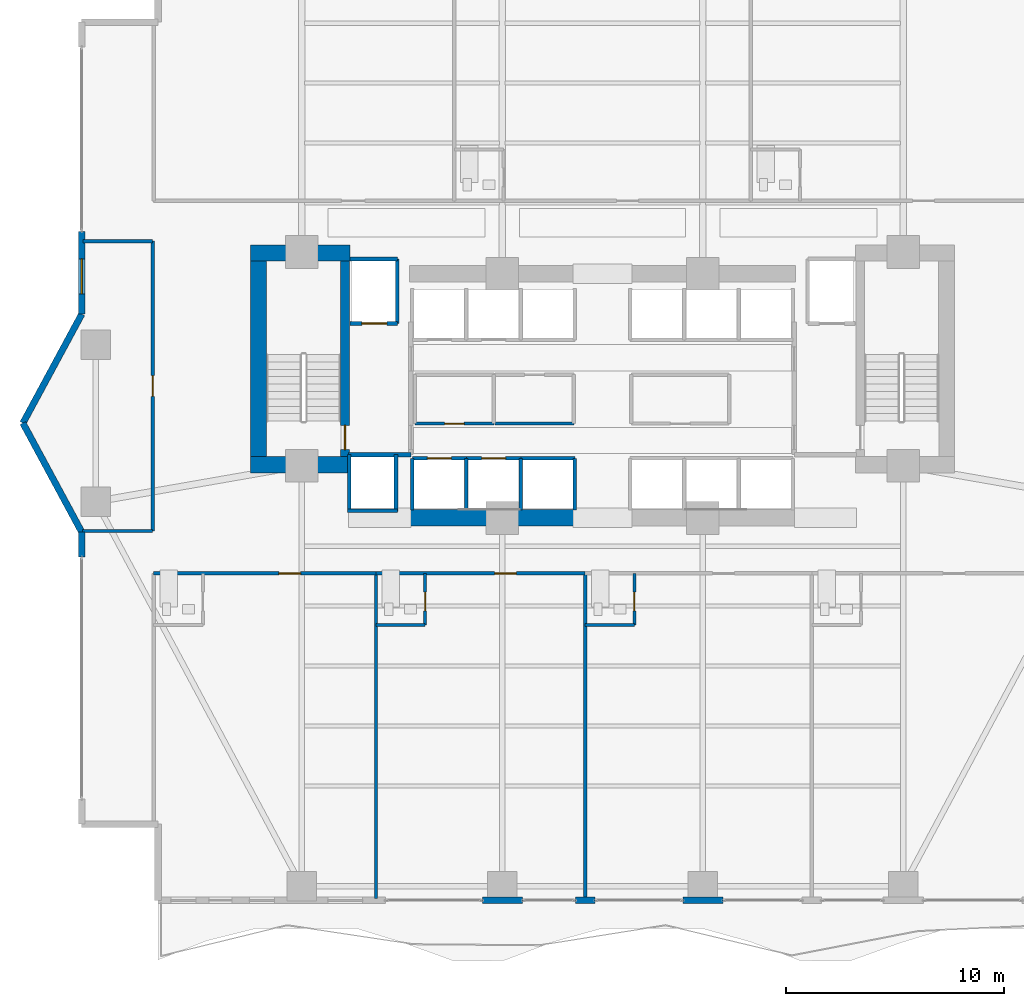
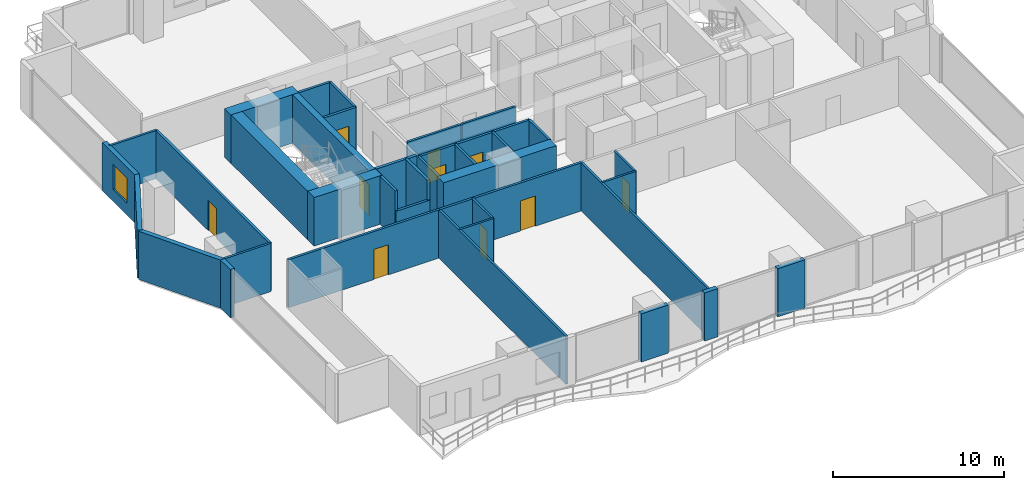
# One storey, part 21 of 28: 39 walls, 10 doors, 1 window, 11 openings.
"""IFC4 building model written with IfcOpenShell, lengths in metres."""

from ifc_helpers import new_model, si_unit, direction, frame, frame_2d, origin, place, context, subcontext, project, spatial, rectangle, extrude, material, layer, layer_set, type_object, element, fill, save


model = new_model("IFC4")

# Units and contexts
model_context = context("Model", 3, precision=1e-05, world=origin(), true_north=direction((0.0, 1.0)))
body_context = subcontext(model_context, "Body", "Model", "MODEL_VIEW")
ifc_project = project(units=[si_unit("LENGTHUNIT", "METRE"), si_unit("AREAUNIT", "SQUARE_METRE"), si_unit("VOLUMEUNIT", "CUBIC_METRE"), si_unit("PLANEANGLEUNIT", "RADIAN"), si_unit("MASSUNIT", "GRAM", prefix="KILO")], contexts=[model_context])

# Site, building, storey
site_placement = place(None, origin())
site = spatial("IfcSite", under=ifc_project, at=site_placement, CompositionType="ELEMENT")
building_placement = place(site_placement, origin())
building = spatial("IfcBuilding", under=site, at=building_placement, Name="Zuhayl Quay Hotel", CompositionType="ELEMENT")
storey_placement = place(building_placement, frame((0.0, 0.0, 139.449951171875)))
storey = spatial("IfcBuildingStorey", under=building, at=storey_placement, Name="L35", CompositionType="ELEMENT", Elevation=139.449951171875)

# Walls
ifc_material_1 = material(Name="Concrete C60/75", Category="concrete")
ifc_layer_1 = layer(ifc_material_1, 0.75, Name="Concrete C60/75", Category="concrete")
ifc_layer_set_1 = layer_set([ifc_layer_1], Name="Concrete C60/75")
wall_type_1 = type_object("IfcWallType", Name="WL_CORE_750", PredefinedType="SHEAR", material=ifc_layer_set_1)
wall_1_placement = place(storey_placement, frame((-16.159912109375, 14.304931640625, 0.0), z_axis=(0.0, 0.0, 1.0), x_axis=(1.0, 0.0, 0.0)))
element("IfcWall", 1, at=wall_1_placement, inside=storey, type_object=wall_type_1, Name="L35 Core Shear Wall CW_NW", PredefinedType="SHEAR", context=body_context, shape_type="SweptSolid", body=[
    extrude(rectangle(XDim=4.559814453125, YDim=0.75, at=frame_2d((2.27978515625, 0.0))), origin(), (0.0, 0.0, 1.0), 3.4599609375),
])
wall_2_placement = place(storey_placement, frame((-15.784912109375, 4.969970703125, 0.0), z_axis=(0.0, 0.0, 1.0), x_axis=(0.0, 1.0, 0.0)))
element("IfcWall", 2, at=wall_2_placement, inside=storey, type_object=wall_type_1, Name="L35 Core Shear Wall CW_W", PredefinedType="SHEAR", context=body_context, shape_type="SweptSolid", body=[
    extrude(rectangle(XDim=8.9599609375, YDim=0.75, at=frame_2d((4.47998046875, 0.0))), origin(), (0.0, 0.0, 1.0), 3.4599609375),
])
wall_3_placement = place(storey_placement, frame((-16.159912109375, 4.594970703125, 0.0), z_axis=(0.0, 0.0, 1.0), x_axis=(1.0, 0.0, 0.0)))
element("IfcWall", 3, at=wall_3_placement, inside=storey, type_object=wall_type_1, Name="L35 Core Shear Wall CW_SW", PredefinedType="SHEAR", context=body_context, shape_type="SweptSolid", body=[
    extrude(rectangle(XDim=4.559814453125, YDim=0.75, at=frame_2d((2.27978515625, 0.0))), origin(), (0.0, 0.0, 1.0), 3.4599609375),
])
wall_4_placement = place(storey_placement, frame((-8.85009765625, 2.14990234375, 0.0), z_axis=(0.0, 0.0, 1.0), x_axis=(1.0, 0.0, 0.0)))
element("IfcWall", 4, at=wall_4_placement, inside=storey, type_object=wall_type_1, Name="L35 Core Shear Wall CW_SC_W", PredefinedType="SHEAR", context=body_context, shape_type="SweptSolid", body=[
    extrude(rectangle(XDim=7.60009765625, YDim=0.75, at=frame_2d((3.800048828125, 0.0))), origin(), (0.0, 0.0, 1.0), 3.429931640625),
])
ifc_material_2 = material(Name="Precast concrete C45/55", Category="concrete")
ifc_layer_2 = layer(ifc_material_2, 0.300048828125, Name="Precast concrete C45/55", Category="concrete")
ifc_layer_set_2 = layer_set([ifc_layer_2], Name="Precast concrete C45/55")
wall_type_2 = type_object("IfcWallType", Name="WL_EXT_300", PredefinedType="STANDARD", material=ifc_layer_set_2)
wall_5_placement = place(storey_placement, frame((-23.89990234375, 0.35009765625, 0.0), z_axis=(0.0, 0.0, 1.0), x_axis=(0.0, 1.0, 0.0)))
element("IfcWall", 5, at=wall_5_placement, inside=storey, type_object=wall_type_2, Name="L35 Exterior Precast Wall ENV_L35_E02_EW2", PredefinedType="STANDARD", context=body_context, shape_type="SweptSolid", body=[
    extrude(rectangle(XDim=1.14990234375, YDim=0.300048828125, at=frame_2d((0.574951171875, 0.0))), origin(), (0.0, 0.0, 1.0), 3.429931640625),
])
for number, where, z_axis, x_axis, name in (
    (6, (-23.89990234375, 1.5, 0.0), (0.0, 0.0, 1.0), (-0.475175525499, 0.879891027325, 0.0), "L35 Exterior Precast Wall ENV_L35_EW03"),
    (7, (-26.60009765625, 6.5, 0.0), (0.0, 0.0, 1.0), (0.475175525499, 0.879891027325, 0.0), "L35 Exterior Precast Wall ENV_L35_EW04"),
):
    element("IfcWall", number, at=place(storey_placement, frame(where, z_axis=z_axis, x_axis=x_axis)), inside=storey, type_object=wall_type_2, Name=name, PredefinedType="STANDARD", context=body_context, shape_type="SweptSolid", body=[
        extrude(rectangle(XDim=5.6826171875, YDim=0.300048828125, at=frame_2d((2.84130859375, 0.0))), origin(), (0.0, 0.0, 1.0), 3.429931640625),
    ])

# Wall, opening, window
wall_6_placement = place(storey_placement, frame((-23.89990234375, 11.5, 0.0), z_axis=(0.0, 0.0, 1.0), x_axis=(0.0, 1.0, 0.0)))
wall_6 = element("IfcWall", 8, at=wall_6_placement, inside=storey, type_object=wall_type_2, Name="L35 Exterior Precast Wall ENV_L35_E05_EW1", PredefinedType="STANDARD", context=body_context, shape_type="SweptSolid", body=[
    extrude(rectangle(XDim=3.800048828125, YDim=0.300048828125, at=frame_2d((1.89990234375, 0.0))), origin(), (0.0, 0.0, 1.0), 3.429931640625),
])
opening_1_placement = place(wall_6_placement, frame((0.93505859375, 0.0, 0.85009765625)))
opening_1 = element("IfcOpeningElement", 9, at=opening_1_placement, cuts=wall_6, Name="Opening W01", PredefinedType="OPENING", context=body_context, shape_type="SweptSolid", body=[
    extrude(rectangle(XDim=1.60009765625, YDim=1.800048828125, at=frame_2d((0.800048828125, 0.89990234375))), frame((0.0, 0.159912109375, 0.0), z_axis=(0.0, -1.0, 0.0), x_axis=(1.0, 0.0, 0.0)), (0.0, 0.0, 1.0), 0.320068359375),
])
ifc_material_3 = material(Name="Dark Ceramic-Fritted Solar Glass", Category="glass")
window_type = type_object("IfcWindowType", Name="WN_OPERABLE_1600", PartitioningType="DOUBLE_PANEL_VERTICAL", PredefinedType="WINDOW", material=ifc_material_3)
window_placement = place(opening_1_placement, origin())
window = element("IfcWindow", 10, at=window_placement, inside=storey, type_object=window_type, Name="L35 Operable Facade Window 1-1", OverallHeight=1.800048828125, OverallWidth=1.60009765625, PartitioningType="SINGLE_PANEL", PredefinedType="WINDOW", context=body_context, shape_type="SweptSolid", body=[
    extrude(rectangle(XDim=1.60009765625, YDim=1.800048828125, at=frame_2d((0.800048828125, 0.89990234375))), frame((0.0, 0.030029296875, 0.0), z_axis=(0.0, -1.0, 0.0), x_axis=(1.0, 0.0, 0.0)), (0.0, 0.0, 1.0), 0.06005859375),
])
fill(opening_1, window)

# Walls
wall_7_placement = place(storey_placement, frame((5.52001953125, -15.39990234375, 0.0), z_axis=(0.0, 0.0, 1.0), x_axis=(-1.0, 0.0, 0.0)))
element("IfcWall", 11, at=wall_7_placement, inside=storey, type_object=wall_type_2, Name="L35 Exterior Precast Wall ENV_L35_S_EW4", PredefinedType="STANDARD", context=body_context, shape_type="SweptSolid", body=[
    extrude(rectangle(XDim=1.840087890625, YDim=0.300048828125, at=frame_2d((0.919921875, 0.0))), origin(), (0.0, 0.0, 1.0), 3.429931640625),
])
wall_8_placement = place(storey_placement, frame((-0.35009765625, -15.39990234375, 0.0), z_axis=(0.0, 0.0, 1.0), x_axis=(-1.0, 0.0, 0.0)))
element("IfcWall", 12, at=wall_8_placement, inside=storey, type_object=wall_type_2, Name="L35 Exterior Precast Wall ENV_L35_S_EW5", PredefinedType="STANDARD", context=body_context, shape_type="SweptSolid", body=[
    extrude(rectangle(XDim=0.89990234375, YDim=0.300048828125, at=frame_2d((0.449951171875, 0.0))), origin(), (0.0, 0.0, 1.0), 3.429931640625),
])
wall_9_placement = place(storey_placement, frame((-3.679931640625, -15.39990234375, 0.0), z_axis=(0.0, 0.0, 1.0), x_axis=(-1.0, 0.0, 0.0)))
element("IfcWall", 13, at=wall_9_placement, inside=storey, type_object=wall_type_2, Name="L35 Exterior Precast Wall ENV_L35_S_EW6", PredefinedType="STANDARD", context=body_context, shape_type="SweptSolid", body=[
    extrude(rectangle(XDim=1.840087890625, YDim=0.300048828125, at=frame_2d((0.919921875, 0.0))), origin(), (0.0, 0.0, 1.0), 3.429931640625),
])

# Wall, opening, door
ifc_material_4 = material(Name="Acoustic Gypsum Partition STC-58")
ifc_layer_3 = layer(ifc_material_4, 0.14990234375, Name="Acoustic Gypsum Partition STC-58")
ifc_layer_set_3 = layer_set([ifc_layer_3], Name="Acoustic Gypsum Partition STC-58")
wall_type_3 = type_object("IfcWallType", Name="WL_PART_150", PredefinedType="PARTITIONING", material=ifc_layer_set_3)
wall_10_placement = place(storey_placement, frame((-8.610107421875, 6.47998046875, 0.0), z_axis=(0.0, 0.0, 1.0), x_axis=(1.0, 0.0, 0.0)))
wall_10 = element("IfcWall", 14, at=wall_10_placement, inside=storey, type_object=wall_type_3, Name="L35 Partition IW_L35_CORE_SW_S", PredefinedType="PARTITIONING", context=body_context, shape_type="SweptSolid", body=[
    extrude(rectangle(XDim=3.6201171875, YDim=0.14990234375, at=frame_2d((1.81005859375, 0.0))), origin(), (0.0, 0.0, 1.0), 3.429931640625),
])
opening_2_placement = place(wall_10_placement, frame((1.360107421875, 0.0, 0.0)))
opening_2 = element("IfcOpeningElement", 15, at=opening_2_placement, cuts=wall_10, Name="Opening D06", PredefinedType="OPENING", context=body_context, shape_type="SweptSolid", body=[
    extrude(rectangle(XDim=0.89990234375, YDim=2.14990234375, at=frame_2d((0.449951171875, 1.074951171875))), frame((0.0, 0.0849609375, 0.0), z_axis=(0.0, -1.0, 0.0), x_axis=(1.0, 0.0, 0.0)), (0.0, 0.0, 1.0), 0.169921875),
])
ifc_material_5 = material(Name="Steel ASTM A992 Grade 50", Category="steel")
door_type_1 = type_object("IfcDoorType", Name="DR_INT_900", OperationType="NOTDEFINED", PredefinedType="DOOR", material=ifc_material_5)
door_1_placement = place(opening_2_placement, origin())
door_1 = element("IfcDoor", 16, at=door_1_placement, inside=storey, type_object=door_type_1, Name="L35 Floor Switchgear Closet Door", OperationType="SINGLE_SWING_RIGHT", OverallHeight=2.14990234375, OverallWidth=0.89990234375, PredefinedType="DOOR", context=body_context, shape_type="SweptSolid", body=[
    extrude(rectangle(XDim=0.89990234375, YDim=2.14990234375, at=frame_2d((0.449951171875, 1.074951171875))), frame((0.0, 0.02490234375, 0.0), z_axis=(0.0, -1.0, 0.0), x_axis=(1.0, 0.0, 0.0)), (0.0, 0.0, 1.0), 0.050048828125),
])
fill(opening_2, door_1)

# Walls
wall_11_placement = place(storey_placement, frame((-4.929931640625, 6.47998046875, 0.0), z_axis=(0.0, 0.0, 1.0), x_axis=(1.0, 0.0, 0.0)))
element("IfcWall", 17, at=wall_11_placement, inside=storey, type_object=wall_type_3, Name="L35 Partition IW_L35_CORE_BM_S", PredefinedType="PARTITIONING", context=body_context, shape_type="SweptSolid", body=[
    extrude(rectangle(XDim=3.60986328125, YDim=0.14990234375, at=frame_2d((1.804931640625, 0.0))), origin(), (0.0, 0.0, 1.0), 3.429931640625),
])
for number, where, z_axis, x_axis, name in (
    (18, (-10.39990234375, -15.320068359375, 0.0), (0.0, 0.0, 1.0), (0.0, 1.0, 0.0), "L35 Partition IW_L35_SU01_E"),
    (19, (-0.800048828125, -15.320068359375, 0.0), (0.0, 0.0, 1.0), (0.0, 1.0, 0.0), "L35 Partition IW_L35_SU02_E"),
):
    element("IfcWall", number, at=place(storey_placement, frame(where, z_axis=z_axis, x_axis=x_axis)), inside=storey, type_object=wall_type_3, Name=name, PredefinedType="PARTITIONING", context=body_context, shape_type="SweptSolid", body=[
        extrude(rectangle(XDim=14.920166015625, YDim=0.14990234375, at=frame_2d((7.4599609375, 0.0))), origin(), (0.0, 0.0, 1.0), 3.429931640625),
    ])
wall_12_placement = place(storey_placement, frame((-23.866943359375, 1.550048828125, 0.0), z_axis=(0.0, 0.0, 1.0), x_axis=(1.0, 0.0, 0.0)))
element("IfcWall", 20, at=wall_12_placement, inside=storey, type_object=wall_type_3, Name="L35 Partition IW_L35_WPROW_1_S", PredefinedType="PARTITIONING", context=body_context, shape_type="SweptSolid", body=[
    extrude(rectangle(XDim=3.217041015625, YDim=0.14990234375, at=frame_2d((1.6083984375, 0.0))), origin(), (0.0, 0.0, 1.0), 3.429931640625),
])
wall_13_placement = place(storey_placement, frame((-23.840087890625, 14.85009765625, 0.0), z_axis=(0.0, 0.0, 1.0), x_axis=(1.0, 0.0, 0.0)))
element("IfcWall", 21, at=wall_13_placement, inside=storey, type_object=wall_type_3, Name="L35 Partition IW_L35_WPROW_1_N", PredefinedType="PARTITIONING", context=body_context, shape_type="SweptSolid", body=[
    extrude(rectangle(XDim=3.190185546875, YDim=0.14990234375, at=frame_2d((1.59521484375, 0.0))), origin(), (0.0, 0.0, 1.0), 3.429931640625),
])

# Wall, opening, door
ifc_layer_4 = layer(ifc_material_4, 0.159912109375, Name="Acoustic Gypsum Partition STC-58")
ifc_layer_set_4 = layer_set([ifc_layer_4], Name="Acoustic Gypsum Partition STC-58")
wall_type_4 = type_object("IfcWallType", Name="WL_PART_CORR_160", PredefinedType="PARTITIONING", material=ifc_layer_set_4)
wall_14_placement = place(storey_placement, frame((-20.60009765625, -0.39990234375, 0.0), z_axis=(0.0, 0.0, 1.0), x_axis=(1.0, 0.0, 0.0)))
wall_14 = element("IfcWall", 22, at=wall_14_placement, inside=storey, type_object=wall_type_4, Name="L35 Partition IW_L35_SU01_COR", PredefinedType="PARTITIONING", context=body_context, shape_type="SweptSolid", body=[
    extrude(rectangle(XDim=10.2001953125, YDim=0.159912109375, at=frame_2d((5.10009765625, 0.0))), origin(), (0.0, 0.0, 1.0), 3.429931640625),
])
opening_3_placement = place(wall_14_placement, frame((5.75, 0.0, 0.0)))
opening_3 = element("IfcOpeningElement", 23, at=opening_3_placement, cuts=wall_14, Name="Opening D03L", PredefinedType="OPENING", context=body_context, shape_type="SweptSolid", body=[
    extrude(rectangle(XDim=1.0, YDim=2.14990234375, at=frame_2d((0.5, 1.074951171875))), frame((0.0, 0.08984375, 0.0), z_axis=(0.0, -1.0, 0.0), x_axis=(1.0, 0.0, 0.0)), (0.0, 0.0, 1.0), 0.179931640625),
])
ifc_material_6 = material(Name="Solid Walnut Acoustic Fire Door")
door_type_2 = type_object("IfcDoorType", Name="DR_SUITE_1000", OperationType="NOTDEFINED", PredefinedType="DOOR", material=ifc_material_6)
door_2_placement = place(opening_3_placement, origin())
door_2 = element("IfcDoor", 24, at=door_2_placement, inside=storey, type_object=door_type_2, Name="L35 City-View Junior Suite L35-01 Entrance Door", OperationType="SINGLE_SWING_LEFT", OverallHeight=2.14990234375, OverallWidth=1.0, PredefinedType="DOOR", context=body_context, shape_type="SweptSolid", body=[
    extrude(rectangle(XDim=1.0, YDim=2.14990234375, at=frame_2d((0.5, 1.074951171875))), frame((0.0, 0.02490234375, 0.0), z_axis=(0.0, -1.0, 0.0), x_axis=(1.0, 0.0, 0.0)), (0.0, 0.0, 1.0), 0.050048828125),
])
fill(opening_3, door_2)

wall_15_placement = place(storey_placement, frame((-10.39990234375, -0.39990234375, 0.0), z_axis=(0.0, 0.0, 1.0), x_axis=(1.0, 0.0, 0.0)))
wall_15 = element("IfcWall", 25, at=wall_15_placement, inside=storey, type_object=wall_type_4, Name="L35 Partition IW_L35_SU02_COR", PredefinedType="PARTITIONING", context=body_context, shape_type="SweptSolid", body=[
    extrude(rectangle(XDim=9.599853515625, YDim=0.159912109375, at=frame_2d((4.7998046875, 0.0))), origin(), (0.0, 0.0, 1.0), 3.429931640625),
])
opening_4_placement = place(wall_15_placement, frame((5.449951171875, 0.0, 0.0)))
opening_4 = element("IfcOpeningElement", 26, at=opening_4_placement, cuts=wall_15, Name="Opening D03L", PredefinedType="OPENING", context=body_context, shape_type="SweptSolid", body=[
    extrude(rectangle(XDim=1.0, YDim=2.14990234375, at=frame_2d((0.5, 1.074951171875))), frame((0.0, 0.08984375, 0.0), z_axis=(0.0, -1.0, 0.0), x_axis=(1.0, 0.0, 0.0)), (0.0, 0.0, 1.0), 0.179931640625),
])
door_3_placement = place(opening_4_placement, origin())
door_3 = element("IfcDoor", 27, at=door_3_placement, inside=storey, type_object=door_type_2, Name="L35 City-View Junior Suite L35-02 Entrance Door", OperationType="SINGLE_SWING_LEFT", OverallHeight=2.14990234375, OverallWidth=1.0, PredefinedType="DOOR", context=body_context, shape_type="SweptSolid", body=[
    extrude(rectangle(XDim=1.0, YDim=2.14990234375, at=frame_2d((0.5, 1.074951171875))), frame((0.0, 0.02490234375, 0.0), z_axis=(0.0, -1.0, 0.0), x_axis=(1.0, 0.0, 0.0)), (0.0, 0.0, 1.0), 0.050048828125),
])
fill(opening_4, door_3)

wall_16_placement = place(storey_placement, frame((-20.64990234375, 1.550048828125, 0.0), z_axis=(0.0, 0.0, 1.0), x_axis=(0.0, 1.0, 0.0)))
wall_16 = element("IfcWall", 28, at=wall_16_placement, inside=storey, type_object=wall_type_4, Name="L35 Partition IW_L35_WPROW_1_E", PredefinedType="PARTITIONING", context=body_context, shape_type="SweptSolid", body=[
    extrude(rectangle(XDim=13.300048828125, YDim=0.159912109375, at=frame_2d((6.64990234375, 0.0))), origin(), (0.0, 0.0, 1.0), 3.429931640625),
])
opening_5_placement = place(wall_16_placement, frame((6.175048828125, 0.0, 0.0)))
opening_5 = element("IfcOpeningElement", 29, at=opening_5_placement, cuts=wall_16, Name="Opening D03", PredefinedType="OPENING", context=body_context, shape_type="SweptSolid", body=[
    extrude(rectangle(XDim=0.949951171875, YDim=2.14990234375, at=frame_2d((0.47509765625, 1.074951171875))), frame((0.0, 0.08984375, 0.0), z_axis=(0.0, -1.0, 0.0), x_axis=(1.0, 0.0, 0.0)), (0.0, 0.0, 1.0), 0.179931640625),
])
door_type_3 = type_object("IfcDoorType", Name="DR_SUITE_950", OperationType="NOTDEFINED", PredefinedType="DOOR", material=ifc_material_6)
door_4_placement = place(opening_5_placement, origin())
door_4 = element("IfcDoor", 30, at=door_4_placement, inside=storey, type_object=door_type_3, Name="L35 West Prow Panoramic Salon L35 Door", OperationType="SINGLE_SWING_RIGHT", OverallHeight=2.14990234375, OverallWidth=0.949951171875, PredefinedType="DOOR", context=body_context, shape_type="SweptSolid", body=[
    extrude(rectangle(XDim=0.949951171875, YDim=2.14990234375, at=frame_2d((0.47509765625, 1.074951171875))), frame((0.0, 0.02490234375, 0.0), z_axis=(0.0, -1.0, 0.0), x_axis=(1.0, 0.0, 0.0)), (0.0, 0.0, 1.0), 0.050048828125),
])
fill(opening_5, door_4)

ifc_material_7 = material(Name="Moisture-Resistant Sanitarychase Gypsum")
ifc_layer_5 = layer(ifc_material_7, 0.135009765625, Name="Moisture-Resistant Sanitarychase Gypsum")
ifc_layer_set_5 = layer_set([ifc_layer_5], Name="Moisture-Resistant Sanitarychase Gypsum")
wall_type_5 = type_object("IfcWallType", Name="WL_PART_PLUMB_150", PredefinedType="PLUMBINGWALL", material=ifc_layer_set_5)
wall_17_placement = place(storey_placement, frame((-8.139892578125, -2.760009765625, 0.0), z_axis=(0.0, 0.0, 1.0), x_axis=(0.0, 1.0, 0.0)))
wall_17 = element("IfcWall", 31, at=wall_17_placement, inside=storey, type_object=wall_type_5, Name="L35 Partition IW_L35_SU02_BE", PredefinedType="PLUMBINGWALL", context=body_context, shape_type="SweptSolid", body=[
    extrude(rectangle(XDim=2.360107421875, YDim=0.135009765625, at=frame_2d((1.18017578125, 0.0))), origin(), (0.0, 0.0, 1.0), 3.429931640625),
])
opening_6_placement = place(wall_17_placement, frame((0.64990234375, 0.0, 0.0)))
opening_6 = element("IfcOpeningElement", 32, at=opening_6_placement, cuts=wall_17, Name="Opening D04", PredefinedType="OPENING", context=body_context, shape_type="SweptSolid", body=[
    extrude(rectangle(XDim=0.85009765625, YDim=2.10009765625, at=frame_2d((0.425048828125, 1.050048828125))), frame((0.0, 0.077392578125, 0.0), z_axis=(0.0, -1.0, 0.0), x_axis=(1.0, 0.0, 0.0)), (0.0, 0.0, 1.0), 0.155029296875),
])
ifc_material_8 = material(Name="Moisture-Resistant Walnut Veneer")
door_type_4 = type_object("IfcDoorType", Name="DR_BATH_850", OperationType="NOTDEFINED", PredefinedType="DOOR", material=ifc_material_8)
door_5_placement = place(opening_6_placement, origin())
door_5 = element("IfcDoor", 33, at=door_5_placement, inside=storey, type_object=door_type_4, Name="L35 City-View Junior Suite L35-02 En-Suite Door", OperationType="SINGLE_SWING_RIGHT", OverallHeight=2.10009765625, OverallWidth=0.85009765625, PredefinedType="DOOR", context=body_context, shape_type="SweptSolid", body=[
    extrude(rectangle(XDim=0.85009765625, YDim=2.10009765625, at=frame_2d((0.425048828125, 1.050048828125))), frame((0.0, 0.02490234375, 0.0), z_axis=(0.0, -1.0, 0.0), x_axis=(1.0, 0.0, 0.0)), (0.0, 0.0, 1.0), 0.050048828125),
])
fill(opening_6, door_5)

wall_18_placement = place(storey_placement, frame((1.4599609375, -2.760009765625, 0.0), z_axis=(0.0, 0.0, 1.0), x_axis=(0.0, 1.0, 0.0)))
wall_18 = element("IfcWall", 34, at=wall_18_placement, inside=storey, type_object=wall_type_5, Name="L35 Partition IW_L35_SU03_BE", PredefinedType="PLUMBINGWALL", context=body_context, shape_type="SweptSolid", body=[
    extrude(rectangle(XDim=2.360107421875, YDim=0.135009765625, at=frame_2d((1.18017578125, 0.0))), origin(), (0.0, 0.0, 1.0), 3.429931640625),
])
opening_7_placement = place(wall_18_placement, frame((0.64990234375, 0.0, 0.0)))
opening_7 = element("IfcOpeningElement", 35, at=opening_7_placement, cuts=wall_18, Name="Opening D04", PredefinedType="OPENING", context=body_context, shape_type="SweptSolid", body=[
    extrude(rectangle(XDim=0.85009765625, YDim=2.10009765625, at=frame_2d((0.425048828125, 1.050048828125))), frame((0.0, 0.077392578125, 0.0), z_axis=(0.0, -1.0, 0.0), x_axis=(1.0, 0.0, 0.0)), (0.0, 0.0, 1.0), 0.155029296875),
])
door_6_placement = place(opening_7_placement, origin())
door_6 = element("IfcDoor", 36, at=door_6_placement, inside=storey, type_object=door_type_4, Name="L35 City-View Junior Suite L35-03 En-Suite Door", OperationType="SINGLE_SWING_RIGHT", OverallHeight=2.10009765625, OverallWidth=0.85009765625, PredefinedType="DOOR", context=body_context, shape_type="SweptSolid", body=[
    extrude(rectangle(XDim=0.85009765625, YDim=2.10009765625, at=frame_2d((0.425048828125, 1.050048828125))), frame((0.0, 0.02490234375, 0.0), z_axis=(0.0, -1.0, 0.0), x_axis=(1.0, 0.0, 0.0)), (0.0, 0.0, 1.0), 0.050048828125),
])
fill(opening_7, door_6)

# Walls
for number, where, z_axis, x_axis, name in (
    (37, (-10.39990234375, -2.760009765625, 0.0), (0.0, 0.0, 1.0), (1.0, 0.0, 0.0), "L35 Partition IW_L35_SU02_BS"),
    (38, (-0.800048828125, -2.760009765625, 0.0), (0.0, 0.0, 1.0), (1.0, 0.0, 0.0), "L35 Partition IW_L35_SU03_BS"),
):
    element("IfcWall", number, at=place(storey_placement, frame(where, z_axis=z_axis, x_axis=x_axis)), inside=storey, type_object=wall_type_5, Name=name, PredefinedType="PLUMBINGWALL", context=body_context, shape_type="SweptSolid", body=[
        extrude(rectangle(XDim=2.260009765625, YDim=0.135009765625, at=frame_2d((1.1298828125, 0.0))), origin(), (0.0, 0.0, 1.0), 3.429931640625),
    ])

# Wall, opening, door
ifc_material_9 = material(Name="Gypsum Fireboard Assembly EI-90")
ifc_layer_6 = layer(ifc_material_9, 0.1650390625, Name="Gypsum Fireboard Assembly EI-90")
ifc_layer_set_6 = layer_set([ifc_layer_6], Name="Gypsum Fireboard Assembly EI-90")
wall_type_6 = type_object("IfcWallType", Name="WL_PART_SHAFT_160", PredefinedType="PARTITIONING", material=ifc_layer_set_6)
wall_19_placement = place(storey_placement, frame((-11.580078125, 11.070068359375, 0.0), z_axis=(0.0, 0.0, 1.0), x_axis=(1.0, 0.0, 0.0)))
wall_19 = element("IfcWall", 39, at=wall_19_placement, inside=storey, type_object=wall_type_6, Name="L35 Partition IW_L35_SH_FL1_F", PredefinedType="PARTITIONING", context=body_context, shape_type="SweptSolid", body=[
    extrude(rectangle(XDim=2.16015625, YDim=0.1650390625, at=frame_2d((1.080078125, 0.0))), origin(), (0.0, 0.0, 1.0), 3.429931640625),
])
opening_8_placement = place(wall_19_placement, frame((0.530029296875, 0.0, 0.0)))
opening_8 = element("IfcOpeningElement", 40, at=opening_8_placement, cuts=wall_19, Name="Opening LD2", PredefinedType="OPENING", context=body_context, shape_type="SweptSolid", body=[
    extrude(rectangle(XDim=1.14990234375, YDim=2.25, at=frame_2d((0.574951171875, 1.125))), frame((0.0, 0.092529296875, 0.0), z_axis=(0.0, -1.0, 0.0), x_axis=(1.0, 0.0, 0.0)), (0.0, 0.0, 1.0), 0.18505859375),
])
ifc_material_10 = material(Name="Brushed Stainless Steel", Category="steel")
door_type_5 = type_object("IfcDoorType", Name="DR_LIFT_FF_1100", OperationType="SLIDING_TO_LEFT", PredefinedType="DOOR", material=ifc_material_10)
door_7_placement = place(opening_8_placement, origin())
door_7 = element("IfcDoor", 41, at=door_7_placement, inside=storey, type_object=door_type_5, Name="L35 Lift FL1 Sliding Landing Door", OperationType="SLIDING_TO_LEFT", OverallHeight=2.25, OverallWidth=1.14990234375, PredefinedType="DOOR", context=body_context, shape_type="SweptSolid", body=[
    extrude(rectangle(XDim=1.14990234375, YDim=2.25, at=frame_2d((0.574951171875, 1.125))), frame((0.0, 0.02490234375, 0.0), z_axis=(0.0, -1.0, 0.0), x_axis=(1.0, 0.0, 0.0)), (0.0, 0.0, 1.0), 0.050048828125),
])
fill(opening_8, door_7)

wall_20_placement = place(storey_placement, frame((-8.72998046875, 4.8798828125, 0.0), z_axis=(0.0, 0.0, 1.0), x_axis=(1.0, 0.0, 0.0)))
wall_20 = element("IfcWall", 42, at=wall_20_placement, inside=storey, type_object=wall_type_6, Name="L35 Partition IW_L35_SH_LP1_F", PredefinedType="PARTITIONING", context=body_context, shape_type="SweptSolid", body=[
    extrude(rectangle(XDim=2.47998046875, YDim=0.1650390625, at=frame_2d((1.239990234375, 0.0))), origin(), (0.0, 0.0, 1.0), 3.429931640625),
])
opening_9_placement = place(wall_20_placement, frame((0.68994140625, 0.0, 0.0)))
opening_9 = element("IfcOpeningElement", 43, at=opening_9_placement, cuts=wall_20, Name="Opening LD1", PredefinedType="OPENING", context=body_context, shape_type="SweptSolid", body=[
    extrude(rectangle(XDim=1.10009765625, YDim=2.25, at=frame_2d((0.550048828125, 1.125))), frame((0.0, 0.092529296875, 0.0), z_axis=(0.0, -1.0, 0.0), x_axis=(1.0, 0.0, 0.0)), (0.0, 0.0, 1.0), 0.18505859375),
])
door_type_6 = type_object("IfcDoorType", Name="DR_LIFT_PASS_1100", OperationType="SLIDING_TO_LEFT", PredefinedType="DOOR", material=ifc_material_10)
door_8_placement = place(opening_9_placement, origin())
door_8 = element("IfcDoor", 44, at=door_8_placement, inside=storey, type_object=door_type_6, Name="L35 Lift LP1 Sliding Landing Door", OperationType="SLIDING_TO_LEFT", OverallHeight=2.25, OverallWidth=1.10009765625, PredefinedType="DOOR", context=body_context, shape_type="SweptSolid", body=[
    extrude(rectangle(XDim=1.10009765625, YDim=2.25, at=frame_2d((0.550048828125, 1.125))), frame((0.0, 0.02490234375, 0.0), z_axis=(0.0, -1.0, 0.0), x_axis=(1.0, 0.0, 0.0)), (0.0, 0.0, 1.0), 0.050048828125),
])
fill(opening_9, door_8)

wall_21_placement = place(storey_placement, frame((-6.25, 4.8798828125, 0.0), z_axis=(0.0, 0.0, 1.0), x_axis=(1.0, 0.0, 0.0)))
wall_21 = element("IfcWall", 45, at=wall_21_placement, inside=storey, type_object=wall_type_6, Name="L35 Partition IW_L35_SH_LP2_F", PredefinedType="PARTITIONING", context=body_context, shape_type="SweptSolid", body=[
    extrude(rectangle(XDim=2.5, YDim=0.1650390625, at=frame_2d((1.25, 0.0))), origin(), (0.0, 0.0, 1.0), 3.429931640625),
])
opening_10_placement = place(wall_21_placement, frame((0.699951171875, 0.0, 0.0)))
opening_10 = element("IfcOpeningElement", 46, at=opening_10_placement, cuts=wall_21, Name="Opening LD1", PredefinedType="OPENING", context=body_context, shape_type="SweptSolid", body=[
    extrude(rectangle(XDim=1.10009765625, YDim=2.25, at=frame_2d((0.550048828125, 1.125))), frame((0.0, 0.092529296875, 0.0), z_axis=(0.0, -1.0, 0.0), x_axis=(1.0, 0.0, 0.0)), (0.0, 0.0, 1.0), 0.18505859375),
])
door_9_placement = place(opening_10_placement, origin())
door_9 = element("IfcDoor", 47, at=door_9_placement, inside=storey, type_object=door_type_6, Name="L35 Lift LP2 Sliding Landing Door", OperationType="SLIDING_TO_LEFT", OverallHeight=2.25, OverallWidth=1.10009765625, PredefinedType="DOOR", context=body_context, shape_type="SweptSolid", body=[
    extrude(rectangle(XDim=1.10009765625, YDim=2.25, at=frame_2d((0.550048828125, 1.125))), frame((0.0, 0.02490234375, 0.0), z_axis=(0.0, -1.0, 0.0), x_axis=(1.0, 0.0, 0.0)), (0.0, 0.0, 1.0), 0.050048828125),
])
fill(opening_10, door_9)

# Walls
wall_22_placement = place(storey_placement, frame((-9.419921875, 11.070068359375, 0.0), z_axis=(0.0, 0.0, 1.0), x_axis=(0.0, 1.0, 0.0)))
element("IfcWall", 48, at=wall_22_placement, inside=storey, type_object=wall_type_6, Name="L35 Partition IW_L35_SH_FL1_E", PredefinedType="PARTITIONING", context=body_context, shape_type="SweptSolid", body=[
    extrude(rectangle(XDim=2.9599609375, YDim=0.1650390625, at=frame_2d((1.47998046875, 0.0))), origin(), (0.0, 0.0, 1.0), 3.429931640625),
])
wall_23_placement = place(storey_placement, frame((-11.580078125, 14.030029296875, 0.0), z_axis=(0.0, 0.0, 1.0), x_axis=(1.0, 0.0, 0.0)))
element("IfcWall", 49, at=wall_23_placement, inside=storey, type_object=wall_type_6, Name="L35 Partition IW_L35_SH_FL1_B", PredefinedType="PARTITIONING", context=body_context, shape_type="SweptSolid", body=[
    extrude(rectangle(XDim=2.16015625, YDim=0.1650390625, at=frame_2d((1.080078125, 0.0))), origin(), (0.0, 0.0, 1.0), 3.429931640625),
])
for number, where, z_axis, x_axis, name in (
    (50, (-8.72998046875, 2.52001953125, 0.0), (0.0, 0.0, 1.0), (0.0, 1.0, 0.0), "L35 Partition IW_L35_SH_LP1_W"),
    (51, (-6.25, 2.52001953125, 0.0), (0.0, 0.0, 1.0), (0.0, 1.0, 0.0), "L35 Partition IW_L35_SH_LP1_E"),
    (52, (-3.75, 2.52001953125, 0.0), (0.0, 0.0, 1.0), (0.0, 1.0, 0.0), "L35 Partition IW_L35_SH_LP2_E"),
):
    element("IfcWall", number, at=place(storey_placement, frame(where, z_axis=z_axis, x_axis=x_axis)), inside=storey, type_object=wall_type_6, Name=name, PredefinedType="PARTITIONING", context=body_context, shape_type="SweptSolid", body=[
        extrude(rectangle(XDim=2.35986328125, YDim=0.1650390625, at=frame_2d((1.179931640625, 0.0))), origin(), (0.0, 0.0, 1.0), 3.429931640625),
    ])
wall_24_placement = place(storey_placement, frame((-3.75, 4.8798828125, 0.0), z_axis=(0.0, 0.0, 1.0), x_axis=(1.0, 0.0, 0.0)))
element("IfcWall", 53, at=wall_24_placement, inside=storey, type_object=wall_type_6, Name="L35 Partition IW_L35_SH_MP1_F", PredefinedType="PARTITIONING", context=body_context, shape_type="SweptSolid", body=[
    extrude(rectangle(XDim=2.47998046875, YDim=0.1650390625, at=frame_2d((1.239990234375, 0.0))), origin(), (0.0, 0.0, 1.0), 3.429931640625),
])
wall_25_placement = place(storey_placement, frame((-1.27001953125, 2.52001953125, 0.0), z_axis=(0.0, 0.0, 1.0), x_axis=(0.0, 1.0, 0.0)))
element("IfcWall", 54, at=wall_25_placement, inside=storey, type_object=wall_type_6, Name="L35 Partition IW_L35_SH_MP1_E", PredefinedType="PARTITIONING", context=body_context, shape_type="SweptSolid", body=[
    extrude(rectangle(XDim=2.35986328125, YDim=0.1650390625, at=frame_2d((1.179931640625, 0.0))), origin(), (0.0, 0.0, 1.0), 3.429931640625),
])
wall_26_placement = place(storey_placement, frame((-11.6298828125, 2.469970703125, 0.0), z_axis=(0.0, 0.0, 1.0), x_axis=(0.0, 1.0, 0.0)))
element("IfcWall", 55, at=wall_26_placement, inside=storey, type_object=wall_type_6, Name="L35 Partition IW_L35_RISER_W", PredefinedType="PARTITIONING", context=body_context, shape_type="SweptSolid", body=[
    extrude(rectangle(XDim=2.580078125, YDim=0.1650390625, at=frame_2d((1.2900390625, 0.0))), origin(), (0.0, 0.0, 1.0), 3.429931640625),
])
wall_27_placement = place(storey_placement, frame((-11.7099609375, 2.469970703125, 0.0), z_axis=(0.0, 0.0, 1.0), x_axis=(1.0, 0.0, 0.0)))
element("IfcWall", 56, at=wall_27_placement, inside=storey, type_object=wall_type_6, Name="L35 Partition IW_L35_RISER_S", PredefinedType="PARTITIONING", context=body_context, shape_type="SweptSolid", body=[
    extrude(rectangle(XDim=2.31005859375, YDim=0.1650390625, at=frame_2d((1.155029296875, 0.0))), origin(), (0.0, 0.0, 1.0), 2.030029296875),
])
ifc_layer_7 = layer(ifc_material_9, 0.179931640625, Name="Gypsum Fireboard Assembly EI-90")
ifc_layer_set_7 = layer_set([ifc_layer_7], Name="Gypsum Fireboard Assembly EI-90")
wall_type_7 = type_object("IfcWallType", Name="WL_PART_SHAFT_180", PredefinedType="PARTITIONING", material=ifc_layer_set_7)
wall_28_placement = place(storey_placement, frame((-9.469970703125, 2.449951171875, 0.0), z_axis=(0.0, 0.0, 1.0), x_axis=(0.0, 1.0, 0.0)))
element("IfcWall", 57, at=wall_28_placement, inside=storey, type_object=wall_type_7, Name="L35 Partition IW_L35_RISER_E", PredefinedType="PARTITIONING", context=body_context, shape_type="SweptSolid", body=[
    extrude(rectangle(XDim=2.60009765625, YDim=0.179931640625, at=frame_2d((1.300048828125, 0.0))), origin(), (0.0, 0.0, 1.0), 3.429931640625),
])
ifc_material_11 = material(Name="Gypsum Fireboard Assembly EI-120")
ifc_layer_8 = layer(ifc_material_11, 0.199951171875, Name="Gypsum Fireboard Assembly EI-120")
ifc_layer_set_8 = layer_set([ifc_layer_8], Name="Gypsum Fireboard Assembly EI-120")
wall_type_8 = type_object("IfcWallType", Name="WL_PART_SHAFT_200", PredefinedType="PARTITIONING", material=ifc_layer_set_8)
wall_29_placement = place(storey_placement, frame((-11.64990234375, 5.050048828125, 0.0), z_axis=(0.0, 0.0, 1.0), x_axis=(1.0, 0.0, 0.0)))
element("IfcWall", 58, at=wall_29_placement, inside=storey, type_object=wall_type_8, Name="L35 Partition IW_L35_FSAE_W_S", PredefinedType="PARTITIONING", context=body_context, shape_type="SweptSolid", body=[
    extrude(rectangle(XDim=2.849853515625, YDim=0.199951171875, at=frame_2d((1.4248046875, 0.0))), origin(), (0.0, 0.0, 1.0), 3.429931640625),
])

# Wall, opening, door
ifc_layer_9 = layer(ifc_material_1, 0.39990234375, Name="Concrete C60/75", Category="concrete")
ifc_layer_set_9 = layer_set([ifc_layer_9], Name="Concrete C60/75")
wall_type_9 = type_object("IfcWallType", Name="WL_STAIR_400", PredefinedType="SHEAR", material=ifc_layer_set_9)
wall_30_placement = place(storey_placement, frame((-11.820068359375, 4.969970703125, 0.0), z_axis=(0.0, 0.0, 1.0), x_axis=(0.0, 1.0, 0.0)))
wall_30 = element("IfcWall", 59, at=wall_30_placement, inside=storey, type_object=wall_type_9, Name="L35 Core Shear Wall SW_ST1", PredefinedType="SHEAR", context=body_context, shape_type="SweptSolid", body=[
    extrude(rectangle(XDim=8.9599609375, YDim=0.39990234375, at=frame_2d((4.47998046875, 0.0))), origin(), (0.0, 0.0, 1.0), 3.4599609375),
])
opening_11_placement = place(wall_30_placement, frame((0.31005859375, 0.0, 0.0)))
opening_11 = element("IfcOpeningElement", 60, at=opening_11_placement, cuts=wall_30, Name="Opening D01", PredefinedType="OPENING", context=body_context, shape_type="SweptSolid", body=[
    extrude(rectangle(XDim=1.1201171875, YDim=2.219970703125, at=frame_2d((0.56005859375, 1.10986328125))), frame((0.0, 0.2099609375, 0.0), z_axis=(0.0, -1.0, 0.0), x_axis=(1.0, 0.0, 0.0)), (0.0, 0.0, 1.0), 0.419921875),
])
door_type_7 = type_object("IfcDoorType", Name="DR_STAIR_90_1100", OperationType="NOTDEFINED", PredefinedType="DOOR", material=ifc_material_5)
door_10_placement = place(opening_11_placement, origin())
door_10 = element("IfcDoor", 61, at=door_10_placement, inside=storey, type_object=door_type_7, Name="L35 Smokeproof Exit Stair ST1 Door", OperationType="SINGLE_SWING_LEFT", OverallHeight=2.219970703125, OverallWidth=1.1201171875, PredefinedType="DOOR", context=body_context, shape_type="SweptSolid", body=[
    extrude(rectangle(XDim=1.1201171875, YDim=2.219970703125, at=frame_2d((0.56005859375, 1.10986328125))), frame((0.0, 0.02490234375, 0.0), z_axis=(0.0, -1.0, 0.0), x_axis=(1.0, 0.0, 0.0)), (0.0, 0.0, 1.0), 0.050048828125),
])
fill(opening_11, door_10)

save(model, "model.ifc")
